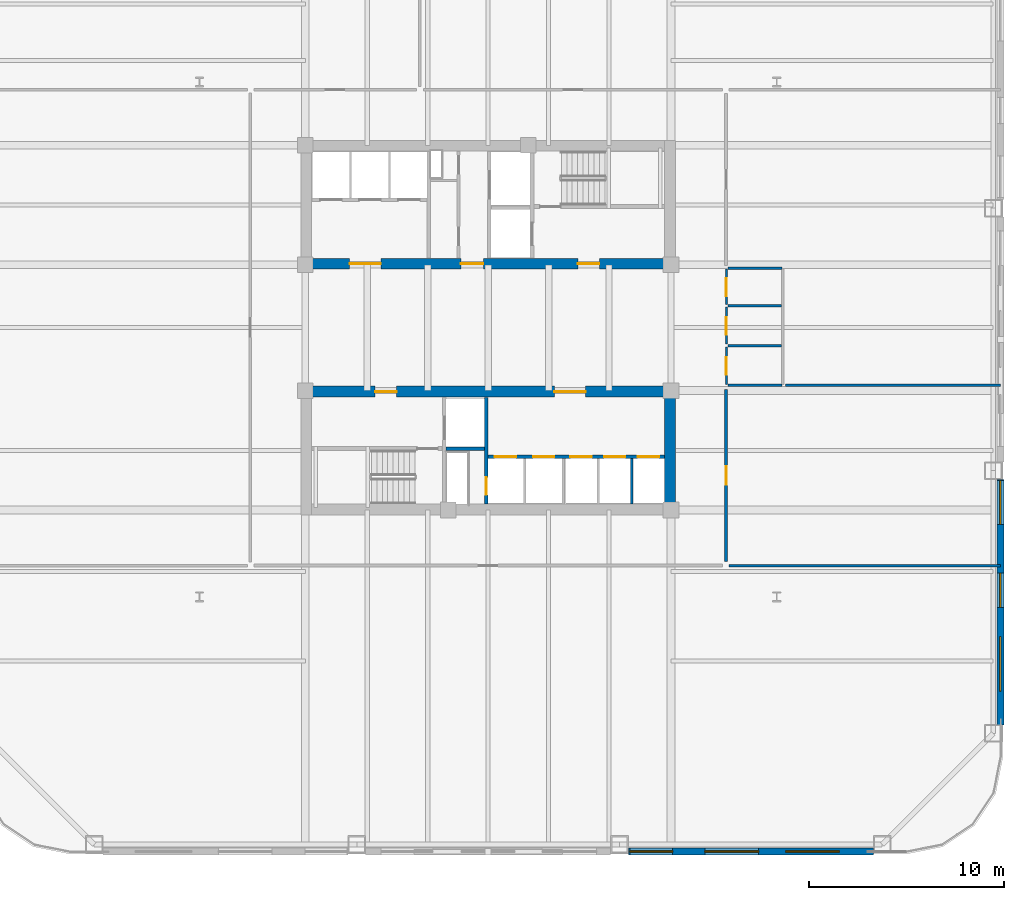
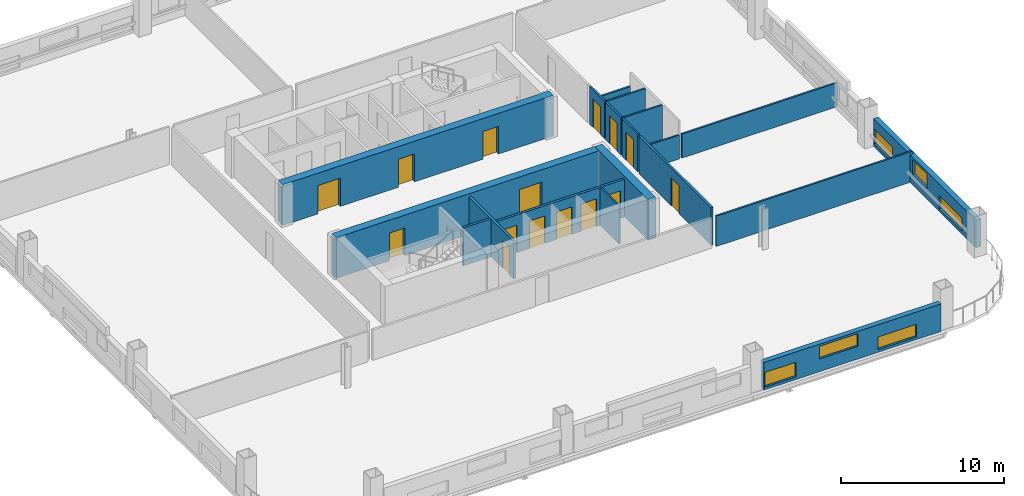
# One storey, part 3 of 11: 19 walls, 15 doors, 6 windows, 21 openings.
"""IFC4 building model written with IfcOpenShell, lengths in metres."""

from ifc_helpers import new_model, si_unit, direction, frame, frame_2d, origin, place, context, subcontext, project, spatial, rectangle, extrude, material, layer, layer_set, type_object, element, fill, save


model = new_model("IFC4")

# Units and contexts
model_context = context("Model", 3, precision=1e-05, world=origin(), true_north=direction((0.0, 1.0)))
body_context = subcontext(model_context, "Body", "Model", "MODEL_VIEW")
ifc_project = project(units=[si_unit("LENGTHUNIT", "METRE"), si_unit("AREAUNIT", "SQUARE_METRE"), si_unit("VOLUMEUNIT", "CUBIC_METRE"), si_unit("PLANEANGLEUNIT", "RADIAN"), si_unit("MASSUNIT", "GRAM", prefix="KILO")], contexts=[model_context])

# Site, building, storey
site_placement = place(None, origin())
site = spatial("IfcSite", under=ifc_project, at=site_placement, CompositionType="ELEMENT")
building_placement = place(site_placement, origin())
building = spatial("IfcBuilding", under=site, at=building_placement, Name="Qhalaya Broadcast Tower", CompositionType="ELEMENT")
storey_placement = place(building_placement, frame((0.0, 0.0, 29.14990234375)))
storey = spatial("IfcBuildingStorey", under=building, at=storey_placement, Name="L07", CompositionType="ELEMENT", Elevation=29.14990234375)

# Wall, opening, door
ifc_material_1 = material(Name="Gypsum Acoustic Partition")
ifc_layer_1 = layer(ifc_material_1, 0.14990234375, Name="Gypsum Acoustic Partition")
ifc_layer_set_1 = layer_set([ifc_layer_1], Name="Gypsum Acoustic Partition")
wall_type_1 = type_object("IfcWallType", Name="Corridor & Tenancy Acoustic Partition 150", PredefinedType="PARTITIONING", material=ifc_layer_set_1)
wall_1_placement = place(storey_placement, frame((12.199951171875, -11.39990234375, 0.0), z_axis=(0.0, 0.0, 1.0), x_axis=(0.0, 1.0, 0.0)))
wall_1 = element("IfcWall", 1, at=wall_1_placement, inside=storey, type_object=wall_type_1, Name="L07 Partition Wall W-COR-05", PredefinedType="PARTITIONING", context=body_context, shape_type="SweptSolid", body=[
    extrude(rectangle(XDim=8.83984375, YDim=0.14990234375, at=frame_2d((4.419921875, 0.0))), origin(), (0.0, 0.0, 1.0), 2.830078125),
])
opening_1_placement = place(wall_1_placement, frame((3.945068359375, 0.0, 0.0)))
opening_1 = element("IfcOpeningElement", 2, at=opening_1_placement, cuts=wall_1, Name="Opening D10", PredefinedType="OPENING", context=body_context, shape_type="SweptSolid", body=[
    extrude(rectangle(XDim=0.949951171875, YDim=2.10009765625, at=frame_2d((0.47509765625, 1.050048828125))), frame((0.0, 0.0869140625, 0.0), z_axis=(0.0, -1.0, 0.0), x_axis=(1.0, 0.0, 0.0)), (0.0, 0.0, 1.0), 0.173828125),
])
ifc_material_2 = material(Name="Timber Veneer Acoustic Door", Category="wood")
door_type_1 = type_object("IfcDoorType", Name="Cellular Office & Edit Booth Door D10", OperationType="NOTDEFINED", PredefinedType="DOOR", material=ifc_material_2)
door_1_placement = place(opening_1_placement, origin())
door_1 = element("IfcDoor", 3, at=door_1_placement, inside=storey, type_object=door_type_1, Name="L07 Door D-RM05", OperationType="SINGLE_SWING_LEFT", OverallHeight=2.10009765625, OverallWidth=0.949951171875, PredefinedType="DOOR", context=body_context, shape_type="SweptSolid", body=[
    extrude(rectangle(XDim=0.949951171875, YDim=2.10009765625, at=frame_2d((0.47509765625, 1.050048828125))), frame((0.0, 0.02490234375, 0.0), z_axis=(0.0, -1.0, 0.0), x_axis=(1.0, 0.0, 0.0)), (0.0, 0.0, 1.0), 0.050048828125),
])
fill(opening_1, door_1)

# Wall, openings, windows
ifc_material_3 = material(Name="Precast Concrete C40/50", Category="concrete")
ifc_layer_2 = layer(ifc_material_3, 0.360107421875, Name="Precast Concrete C40/50")
ifc_layer_set_2 = layer_set([ifc_layer_2], Name="Precast Concrete C40/50")
wall_type_2 = type_object("IfcWallType", Name="Insulated Precast Terracotta Exterior Wall 360", PredefinedType="SOLIDWALL", material=ifc_layer_set_2)
wall_2_placement = place(storey_placement, frame((19.761962890625, -26.260009765625, 0.0), z_axis=(0.0, 0.0, 1.0), x_axis=(-1.0, 0.0, 0.0)))
wall_2 = element("IfcWall", 4, at=wall_2_placement, inside=storey, type_object=wall_type_2, Name="L07 Exoskeleton Diagrid Infill Wall S1", PredefinedType="SOLIDWALL", context=body_context, shape_type="SweptSolid", body=[
    extrude(rectangle(XDim=12.57861328125, YDim=0.360107421875, at=frame_2d((6.289306640625, 0.0))), origin(), (0.0, 0.0, 1.0), 2.067138671875),
])
opening_2_placement = place(wall_2_placement, frame((1.75, 0.0, 0.199951171875)))
opening_2 = element("IfcOpeningElement", 5, at=opening_2_placement, cuts=wall_2, Name="Opening W11", PredefinedType="OPENING", context=body_context, shape_type="SweptSolid", body=[
    extrude(rectangle(XDim=2.75, YDim=0.949951171875, at=frame_2d((1.375, 0.47509765625))), frame((0.0, 0.192138671875, 0.0), z_axis=(0.0, -1.0, 0.0), x_axis=(1.0, 0.0, 0.0)), (0.0, 0.0, 1.0), 0.384033203125),
])
opening_3_placement = place(wall_2_placement, frame((5.89990234375, 0.0, 0.949951171875)))
opening_3 = element("IfcOpeningElement", 6, at=opening_3_placement, cuts=wall_2, Name="Opening W11", PredefinedType="OPENING", context=body_context, shape_type="SweptSolid", body=[
    extrude(rectangle(XDim=2.75, YDim=0.949951171875, at=frame_2d((1.375, 0.47509765625))), frame((0.0, 0.192138671875, 0.0), z_axis=(0.0, -1.0, 0.0), x_axis=(1.0, 0.0, 0.0)), (0.0, 0.0, 1.0), 0.384033203125),
])
opening_4_placement = place(wall_2_placement, frame((10.300048828125, 0.0, 0.199951171875)))
opening_4 = element("IfcOpeningElement", 7, at=opening_4_placement, cuts=wall_2, Name="Opening W11", PredefinedType="OPENING", context=body_context, shape_type="SweptSolid", body=[
    extrude(rectangle(XDim=2.199951171875, YDim=1.10009765625, at=frame_2d((1.10009765625, 0.550048828125))), frame((0.0, 0.192138671875, 0.0), z_axis=(0.0, -1.0, 0.0), x_axis=(1.0, 0.0, 0.0)), (0.0, 0.0, 1.0), 0.384033203125),
])
ifc_material_4 = material(Name="Solar-Control Low-E Triple Glazing", Category="glass")
window_type = type_object("IfcWindowType", Name="Odd-Block Diagrid Infill Window W11", PartitioningType="SINGLE_PANEL", PredefinedType="WINDOW", material=ifc_material_4)
window_1_placement = place(opening_2_placement, origin())
window_1 = element("IfcWindow", 8, at=window_1_placement, inside=storey, type_object=window_type, Name="L07 Diagrid Infill Window W11-S1", OverallHeight=0.949951171875, OverallWidth=2.75, PartitioningType="SINGLE_PANEL", PredefinedType="WINDOW", context=body_context, shape_type="SweptSolid", body=[
    extrude(rectangle(XDim=2.75, YDim=0.949951171875, at=frame_2d((1.375, 0.47509765625))), frame((0.0, 0.030029296875, 0.0), z_axis=(0.0, -1.0, 0.0), x_axis=(1.0, 0.0, 0.0)), (0.0, 0.0, 1.0), 0.06005859375),
])
fill(opening_2, window_1)
window_2_placement = place(opening_3_placement, origin())
window_2 = element("IfcWindow", 9, at=window_2_placement, inside=storey, type_object=window_type, Name="L07 Diagrid Infill Window W11-S2", OverallHeight=0.949951171875, OverallWidth=2.75, PartitioningType="SINGLE_PANEL", PredefinedType="WINDOW", context=body_context, shape_type="SweptSolid", body=[
    extrude(rectangle(XDim=2.75, YDim=0.949951171875, at=frame_2d((1.375, 0.47509765625))), frame((0.0, 0.030029296875, 0.0), z_axis=(0.0, -1.0, 0.0), x_axis=(1.0, 0.0, 0.0)), (0.0, 0.0, 1.0), 0.06005859375),
])
fill(opening_3, window_2)
window_3_placement = place(opening_4_placement, origin())
window_3 = element("IfcWindow", 10, at=window_3_placement, inside=storey, type_object=window_type, Name="L07 Diagrid Infill Window W11-S3", OverallHeight=1.10009765625, OverallWidth=2.199951171875, PartitioningType="SINGLE_PANEL", PredefinedType="WINDOW", context=body_context, shape_type="SweptSolid", body=[
    extrude(rectangle(XDim=2.199951171875, YDim=1.10009765625, at=frame_2d((1.10009765625, 0.550048828125))), frame((0.0, 0.030029296875, 0.0), z_axis=(0.0, -1.0, 0.0), x_axis=(1.0, 0.0, 0.0)), (0.0, 0.0, 1.0), 0.06005859375),
])
fill(opening_4, window_3)

wall_3_placement = place(storey_placement, frame((26.260009765625, -7.183349609375, 0.0), z_axis=(0.0, 0.0, 1.0), x_axis=(0.0, -1.0, 0.0)))
wall_3 = element("IfcWall", 11, at=wall_3_placement, inside=storey, type_object=wall_type_2, Name="L07 Exoskeleton Diagrid Infill Wall E3", PredefinedType="SOLIDWALL", context=body_context, shape_type="SweptSolid", body=[
    extrude(rectangle(XDim=12.57861328125, YDim=0.360107421875, at=frame_2d((6.289306640625, 0.0))), origin(), (0.0, 0.0, 1.0), 2.067138671875),
])
opening_5_placement = place(wall_3_placement, frame((0.054931640625, 0.0, 0.199951171875)))
opening_5 = element("IfcOpeningElement", 12, at=opening_5_placement, cuts=wall_3, Name="Opening W11", PredefinedType="OPENING", context=body_context, shape_type="SweptSolid", body=[
    extrude(rectangle(XDim=2.25, YDim=1.14990234375, at=frame_2d((1.125, 0.574951171875))), frame((0.0, 0.192138671875, 0.0), z_axis=(0.0, -1.0, 0.0), x_axis=(1.0, 0.0, 0.0)), (0.0, 0.0, 1.0), 0.384033203125),
])
opening_6_placement = place(wall_3_placement, frame((4.804931640625, 0.0, 0.800048828125)))
opening_6 = element("IfcOpeningElement", 13, at=opening_6_placement, cuts=wall_3, Name="Opening W11", PredefinedType="OPENING", context=body_context, shape_type="SweptSolid", body=[
    extrude(rectangle(XDim=1.75, YDim=1.10009765625, at=frame_2d((0.875, 0.550048828125))), frame((0.0, 0.192138671875, 0.0), z_axis=(0.0, -1.0, 0.0), x_axis=(1.0, 0.0, 0.0)), (0.0, 0.0, 1.0), 0.384033203125),
])
opening_7_placement = place(wall_3_placement, frame((8.054931640625, 0.0, 0.199951171875)))
opening_7 = element("IfcOpeningElement", 14, at=opening_7_placement, cuts=wall_3, Name="Opening W11", PredefinedType="OPENING", context=body_context, shape_type="SweptSolid", body=[
    extrude(rectangle(XDim=2.800048828125, YDim=1.0, at=frame_2d((1.39990234375, 0.5))), frame((0.0, 0.192138671875, 0.0), z_axis=(0.0, -1.0, 0.0), x_axis=(1.0, 0.0, 0.0)), (0.0, 0.0, 1.0), 0.384033203125),
])
window_4_placement = place(opening_5_placement, origin())
window_4 = element("IfcWindow", 15, at=window_4_placement, inside=storey, type_object=window_type, Name="L07 Diagrid Infill Window W11-E7", OverallHeight=1.14990234375, OverallWidth=2.25, PartitioningType="SINGLE_PANEL", PredefinedType="WINDOW", context=body_context, shape_type="SweptSolid", body=[
    extrude(rectangle(XDim=2.25, YDim=1.14990234375, at=frame_2d((1.125, 0.574951171875))), frame((0.0, 0.030029296875, 0.0), z_axis=(0.0, -1.0, 0.0), x_axis=(1.0, 0.0, 0.0)), (0.0, 0.0, 1.0), 0.06005859375),
])
fill(opening_5, window_4)
window_5_placement = place(opening_6_placement, origin())
window_5 = element("IfcWindow", 16, at=window_5_placement, inside=storey, type_object=window_type, Name="L07 Diagrid Infill Window W11-E8", OverallHeight=1.10009765625, OverallWidth=1.75, PartitioningType="SINGLE_PANEL", PredefinedType="WINDOW", context=body_context, shape_type="SweptSolid", body=[
    extrude(rectangle(XDim=1.75, YDim=1.10009765625, at=frame_2d((0.875, 0.550048828125))), frame((0.0, 0.030029296875, 0.0), z_axis=(0.0, -1.0, 0.0), x_axis=(1.0, 0.0, 0.0)), (0.0, 0.0, 1.0), 0.06005859375),
])
fill(opening_6, window_5)
window_6_placement = place(opening_7_placement, origin())
window_6 = element("IfcWindow", 17, at=window_6_placement, inside=storey, type_object=window_type, Name="L07 Diagrid Infill Window W11-E9", OverallHeight=1.0, OverallWidth=2.800048828125, PartitioningType="SINGLE_PANEL", PredefinedType="WINDOW", context=body_context, shape_type="SweptSolid", body=[
    extrude(rectangle(XDim=2.800048828125, YDim=1.0, at=frame_2d((1.39990234375, 0.5))), frame((0.0, 0.030029296875, 0.0), z_axis=(0.0, -1.0, 0.0), x_axis=(1.0, 0.0, 0.0)), (0.0, 0.0, 1.0), 0.06005859375),
])
fill(opening_7, window_6)

# Wall, openings, doors
ifc_material_5 = material(Name="Concrete C60/75", Category="concrete")
ifc_layer_3 = layer(ifc_material_5, 0.550048828125, Name="Concrete C60/75")
ifc_layer_set_3 = layer_set([ifc_layer_3], Name="Concrete C60/75")
wall_type_3 = type_object("IfcWallType", Name="Lower Split-Core Shear Wall 550", PredefinedType="SHEAR", material=ifc_layer_set_3)
wall_4_placement = place(storey_placement, frame((-9.60009765625, 3.875, 0.0), z_axis=(0.0, 0.0, 1.0), x_axis=(1.0, 0.0, 0.0)))
wall_4 = element("IfcWall", 18, at=wall_4_placement, inside=storey, type_object=wall_type_3, Name="L07 Split-Core Shear Wall CW-NS", PredefinedType="SHEAR", context=body_context, shape_type="SweptSolid", body=[
    extrude(rectangle(XDim=19.2001953125, YDim=0.550048828125, at=frame_2d((9.60009765625, 0.0))), origin(), (0.0, 0.0, 1.0), 3.050048828125),
])
opening_8_placement = place(wall_4_placement, frame((14.199951171875, 0.0, 0.0)))
opening_8 = element("IfcOpeningElement", 19, at=opening_8_placement, cuts=wall_4, Name="Opening D04", PredefinedType="OPENING", context=body_context, shape_type="SweptSolid", body=[
    extrude(rectangle(XDim=1.10009765625, YDim=2.080078125, at=frame_2d((0.550048828125, 1.0400390625))), frame((0.0, 0.287109375, 0.0), z_axis=(0.0, -1.0, 0.0), x_axis=(1.0, 0.0, 0.0)), (0.0, 0.0, 1.0), 0.573974609375),
])
opening_9_placement = place(wall_4_placement, frame((8.199951171875, 0.0, 0.0)))
opening_9 = element("IfcOpeningElement", 20, at=opening_9_placement, cuts=wall_4, Name="Opening D05", PredefinedType="OPENING", context=body_context, shape_type="SweptSolid", body=[
    extrude(rectangle(XDim=1.14990234375, YDim=2.10009765625, at=frame_2d((0.574951171875, 1.050048828125))), frame((0.0, 0.287109375, 0.0), z_axis=(0.0, -1.0, 0.0), x_axis=(1.0, 0.0, 0.0)), (0.0, 0.0, 1.0), 0.573974609375),
])
opening_10_placement = place(wall_4_placement, frame((2.5, 0.0, 0.0)))
opening_10 = element("IfcOpeningElement", 21, at=opening_10_placement, cuts=wall_4, Name="Opening D07", PredefinedType="OPENING", context=body_context, shape_type="SweptSolid", body=[
    extrude(rectangle(XDim=1.60009765625, YDim=2.1201171875, at=frame_2d((0.800048828125, 1.06005859375))), frame((0.0, 0.287109375, 0.0), z_axis=(0.0, -1.0, 0.0), x_axis=(1.0, 0.0, 0.0)), (0.0, 0.0, 1.0), 0.573974609375),
])
ifc_material_6 = material(Name="Fire-Rated Steel Door", Category="steel")
door_type_2 = type_object("IfcDoorType", Name="Firefighting Lobby Rated Door D04", OperationType="NOTDEFINED", PredefinedType="DOOR", material=ifc_material_6)
door_2_placement = place(opening_8_placement, origin())
door_2 = element("IfcDoor", 22, at=door_2_placement, inside=storey, type_object=door_type_2, Name="L07 Door D-NFF", OperationType="SINGLE_SWING_RIGHT", OverallHeight=2.080078125, OverallWidth=1.10009765625, PredefinedType="DOOR", context=body_context, shape_type="SweptSolid", body=[
    extrude(rectangle(XDim=1.10009765625, YDim=2.080078125, at=frame_2d((0.550048828125, 1.0400390625))), frame((0.0, 0.02490234375, 0.0), z_axis=(0.0, -1.0, 0.0), x_axis=(1.0, 0.0, 0.0)), (0.0, 0.0, 1.0), 0.050048828125),
])
fill(opening_8, door_2)
ifc_material_7 = material(Name="Anodised Aluminium Glazed Door", Category="aluminium")
door_type_3 = type_object("IfcDoorType", Name="Passenger Lift Lobby Double Glazed Door D07", OperationType="DOUBLE_DOOR_SINGLE_SWING", PredefinedType="DOOR", material=ifc_material_7)
door_3_placement = place(opening_10_placement, origin())
door_3 = element("IfcDoor", 23, at=door_3_placement, inside=storey, type_object=door_type_3, Name="L07 Door D-NPLL", OperationType="DOUBLE_DOOR_SINGLE_SWING", OverallHeight=2.1201171875, OverallWidth=1.60009765625, PredefinedType="DOOR", context=body_context, shape_type="SweptSolid", body=[
    extrude(rectangle(XDim=1.60009765625, YDim=2.1201171875, at=frame_2d((0.800048828125, 1.06005859375))), frame((0.0, 0.02490234375, 0.0), z_axis=(0.0, -1.0, 0.0), x_axis=(1.0, 0.0, 0.0)), (0.0, 0.0, 1.0), 0.050048828125),
])
fill(opening_10, door_3)
door_type_4 = type_object("IfcDoorType", Name="Refuge & Plant Room Fire Door D05", OperationType="NOTDEFINED", PredefinedType="DOOR", material=ifc_material_6)
door_4_placement = place(opening_9_placement, origin())
door_4 = element("IfcDoor", 24, at=door_4_placement, inside=storey, type_object=door_type_4, Name="L07 Door D-NSVL", OperationType="SINGLE_SWING_LEFT", OverallHeight=2.10009765625, OverallWidth=1.14990234375, PredefinedType="DOOR", context=body_context, shape_type="SweptSolid", body=[
    extrude(rectangle(XDim=1.14990234375, YDim=2.10009765625, at=frame_2d((0.574951171875, 1.050048828125))), frame((0.0, 0.02490234375, 0.0), z_axis=(0.0, -1.0, 0.0), x_axis=(1.0, 0.0, 0.0)), (0.0, 0.0, 1.0), 0.050048828125),
])
fill(opening_9, door_4)

wall_5_placement = place(storey_placement, frame((-9.60009765625, -2.675048828125, 0.0), z_axis=(0.0, 0.0, 1.0), x_axis=(1.0, 0.0, 0.0)))
wall_5 = element("IfcWall", 25, at=wall_5_placement, inside=storey, type_object=wall_type_3, Name="L07 Split-Core Shear Wall CW-SN", PredefinedType="SHEAR", context=body_context, shape_type="SweptSolid", body=[
    extrude(rectangle(XDim=19.2001953125, YDim=0.550048828125, at=frame_2d((9.60009765625, 0.0))), origin(), (0.0, 0.0, 1.0), 3.050048828125),
])
opening_11_placement = place(wall_5_placement, frame((3.800048828125, 0.0, 0.0)))
opening_11 = element("IfcOpeningElement", 26, at=opening_11_placement, cuts=wall_5, Name="Opening D04", PredefinedType="OPENING", context=body_context, shape_type="SweptSolid", body=[
    extrude(rectangle(XDim=1.10009765625, YDim=2.080078125, at=frame_2d((0.550048828125, 1.0400390625))), frame((0.0, 0.287109375, 0.0), z_axis=(0.0, -1.0, 0.0), x_axis=(1.0, 0.0, 0.0)), (0.0, 0.0, 1.0), 0.573974609375),
])
opening_12_placement = place(wall_5_placement, frame((13.0, 0.0, 0.0)))
opening_12 = element("IfcOpeningElement", 27, at=opening_12_placement, cuts=wall_5, Name="Opening D07", PredefinedType="OPENING", context=body_context, shape_type="SweptSolid", body=[
    extrude(rectangle(XDim=1.60009765625, YDim=2.1201171875, at=frame_2d((0.800048828125, 1.06005859375))), frame((0.0, 0.287109375, 0.0), z_axis=(0.0, -1.0, 0.0), x_axis=(1.0, 0.0, 0.0)), (0.0, 0.0, 1.0), 0.573974609375),
])
door_5_placement = place(opening_11_placement, origin())
door_5 = element("IfcDoor", 28, at=door_5_placement, inside=storey, type_object=door_type_2, Name="L07 Door D-SFF", OperationType="SINGLE_SWING_LEFT", OverallHeight=2.080078125, OverallWidth=1.10009765625, PredefinedType="DOOR", context=body_context, shape_type="SweptSolid", body=[
    extrude(rectangle(XDim=1.10009765625, YDim=2.080078125, at=frame_2d((0.550048828125, 1.0400390625))), frame((0.0, 0.02490234375, 0.0), z_axis=(0.0, -1.0, 0.0), x_axis=(1.0, 0.0, 0.0)), (0.0, 0.0, 1.0), 0.050048828125),
])
fill(opening_11, door_5)
door_6_placement = place(opening_12_placement, origin())
door_6 = element("IfcDoor", 29, at=door_6_placement, inside=storey, type_object=door_type_3, Name="L07 Door D-SPLL", OperationType="DOUBLE_DOOR_SINGLE_SWING", OverallHeight=2.1201171875, OverallWidth=1.60009765625, PredefinedType="DOOR", context=body_context, shape_type="SweptSolid", body=[
    extrude(rectangle(XDim=1.60009765625, YDim=2.1201171875, at=frame_2d((0.800048828125, 1.06005859375))), frame((0.0, 0.02490234375, 0.0), z_axis=(0.0, -1.0, 0.0), x_axis=(1.0, 0.0, 0.0)), (0.0, 0.0, 1.0), 0.050048828125),
])
fill(opening_12, door_6)

# Walls
wall_6_placement = place(storey_placement, frame((9.324951171875, -9.0, 0.0), z_axis=(0.0, 0.0, 1.0), x_axis=(0.0, 1.0, 0.0)))
element("IfcWall", 30, at=wall_6_placement, inside=storey, type_object=wall_type_3, Name="L07 Split-Core Shear Wall CW-SE", PredefinedType="SHEAR", context=body_context, shape_type="SweptSolid", body=[
    extrude(rectangle(XDim=6.60009765625, YDim=0.550048828125, at=frame_2d((3.300048828125, 0.0))), origin(), (0.0, 0.0, 1.0), 3.050048828125),
])
ifc_layer_4 = layer(ifc_material_1, 0.1201171875, Name="Gypsum Acoustic Partition")
ifc_layer_set_4 = layer_set([ifc_layer_4], Name="Gypsum Acoustic Partition")
wall_type_4 = type_object("IfcWallType", Name="Office, Booth & Sanitary Partition 120", PredefinedType="PARTITIONING", material=ifc_layer_set_4)
wall_7_placement = place(storey_placement, frame((7.360107421875, -8.429931640625, 0.0), z_axis=(0.0, 0.0, 1.0), x_axis=(0.0, 1.0, 0.0)))
element("IfcWall", 31, at=wall_7_placement, inside=storey, type_object=wall_type_4, Name="L07 Partition Wall SCW-HD7", PredefinedType="PARTITIONING", context=body_context, shape_type="SweptSolid", body=[
    extrude(rectangle(XDim=2.329833984375, YDim=0.1201171875, at=frame_2d((1.1650390625, 0.0))), origin(), (0.0, 0.0, 1.0), 2.830078125),
])

# Wall, opening, door
wall_8_placement = place(storey_placement, frame((12.219970703125, -2.320068359375, 0.0), z_axis=(0.0, 0.0, 1.0), x_axis=(0.0, 1.0, 0.0)))
wall_8 = element("IfcWall", 32, at=wall_8_placement, inside=storey, type_object=wall_type_4, Name="L07 Partition Wall W-WCWA", PredefinedType="PARTITIONING", context=body_context, shape_type="SweptSolid", body=[
    extrude(rectangle(XDim=1.940185546875, YDim=0.1201171875, at=frame_2d((0.97021484375, 0.0))), origin(), (0.0, 0.0, 1.0), 2.830078125),
])
opening_13_placement = place(wall_8_placement, frame((0.4951171875, 0.0, 0.0)))
opening_13 = element("IfcOpeningElement", 33, at=opening_13_placement, cuts=wall_8, Name="Opening D12", PredefinedType="OPENING", context=body_context, shape_type="SweptSolid", body=[
    extrude(rectangle(XDim=0.919921875, YDim=2.10009765625, at=frame_2d((0.4599609375, 1.050048828125))), frame((0.0, 0.072021484375, 0.0), z_axis=(0.0, -1.0, 0.0), x_axis=(1.0, 0.0, 0.0)), (0.0, 0.0, 1.0), 0.14404296875),
])
door_type_5 = type_object("IfcDoorType", Name="Accessible WC & Restroom Door D12", OperationType="NOTDEFINED", PredefinedType="DOOR", material=ifc_material_2)
door_7_placement = place(opening_13_placement, origin())
door_7 = element("IfcDoor", 34, at=door_7_placement, inside=storey, type_object=door_type_5, Name="L07 Door D-WCA", OperationType="SINGLE_SWING_LEFT", OverallHeight=2.10009765625, OverallWidth=0.919921875, PredefinedType="DOOR", context=body_context, shape_type="SweptSolid", body=[
    extrude(rectangle(XDim=0.919921875, YDim=2.10009765625, at=frame_2d((0.4599609375, 1.050048828125))), frame((0.0, 0.02490234375, 0.0), z_axis=(0.0, -1.0, 0.0), x_axis=(1.0, 0.0, 0.0)), (0.0, 0.0, 1.0), 0.050048828125),
])
fill(opening_13, door_7)

wall_9_placement = place(storey_placement, frame((12.219970703125, -0.25, 0.0), z_axis=(0.0, 0.0, 1.0), x_axis=(0.0, 1.0, 0.0)))
wall_9 = element("IfcWall", 35, at=wall_9_placement, inside=storey, type_object=wall_type_4, Name="L07 Partition Wall W-WCWM", PredefinedType="PARTITIONING", context=body_context, shape_type="SweptSolid", body=[
    extrude(rectangle(XDim=1.89990234375, YDim=0.1201171875, at=frame_2d((0.949951171875, 0.0))), origin(), (0.0, 0.0, 1.0), 2.830078125),
])
opening_14_placement = place(wall_9_placement, frame((0.47509765625, 0.0, 0.0)))
opening_14 = element("IfcOpeningElement", 36, at=opening_14_placement, cuts=wall_9, Name="Opening D12", PredefinedType="OPENING", context=body_context, shape_type="SweptSolid", body=[
    extrude(rectangle(XDim=0.919921875, YDim=2.10009765625, at=frame_2d((0.4599609375, 1.050048828125))), frame((0.0, 0.072021484375, 0.0), z_axis=(0.0, -1.0, 0.0), x_axis=(1.0, 0.0, 0.0)), (0.0, 0.0, 1.0), 0.14404296875),
])
door_8_placement = place(opening_14_placement, origin())
door_8 = element("IfcDoor", 37, at=door_8_placement, inside=storey, type_object=door_type_5, Name="L07 Door D-WCM", OperationType="SINGLE_SWING_RIGHT", OverallHeight=2.10009765625, OverallWidth=0.919921875, PredefinedType="DOOR", context=body_context, shape_type="SweptSolid", body=[
    extrude(rectangle(XDim=0.919921875, YDim=2.10009765625, at=frame_2d((0.4599609375, 1.050048828125))), frame((0.0, 0.02490234375, 0.0), z_axis=(0.0, -1.0, 0.0), x_axis=(1.0, 0.0, 0.0)), (0.0, 0.0, 1.0), 0.050048828125),
])
fill(opening_14, door_8)

wall_10_placement = place(storey_placement, frame((12.219970703125, 1.780029296875, 0.0), z_axis=(0.0, 0.0, 1.0), x_axis=(0.0, 1.0, 0.0)))
wall_10 = element("IfcWall", 38, at=wall_10_placement, inside=storey, type_object=wall_type_4, Name="L07 Partition Wall W-WCWF", PredefinedType="PARTITIONING", context=body_context, shape_type="SweptSolid", body=[
    extrude(rectangle(XDim=1.830078125, YDim=0.1201171875, at=frame_2d((0.9150390625, 0.0))), origin(), (0.0, 0.0, 1.0), 2.830078125),
])
opening_15_placement = place(wall_10_placement, frame((0.43994140625, 0.0, 0.0)))
opening_15 = element("IfcOpeningElement", 39, at=opening_15_placement, cuts=wall_10, Name="Opening D12", PredefinedType="OPENING", context=body_context, shape_type="SweptSolid", body=[
    extrude(rectangle(XDim=0.919921875, YDim=2.10009765625, at=frame_2d((0.4599609375, 1.050048828125))), frame((0.0, 0.072021484375, 0.0), z_axis=(0.0, -1.0, 0.0), x_axis=(1.0, 0.0, 0.0)), (0.0, 0.0, 1.0), 0.14404296875),
])
door_9_placement = place(opening_15_placement, origin())
door_9 = element("IfcDoor", 40, at=door_9_placement, inside=storey, type_object=door_type_5, Name="L07 Door D-WCF", OperationType="SINGLE_SWING_LEFT", OverallHeight=2.10009765625, OverallWidth=0.919921875, PredefinedType="DOOR", context=body_context, shape_type="SweptSolid", body=[
    extrude(rectangle(XDim=0.919921875, YDim=2.10009765625, at=frame_2d((0.4599609375, 1.050048828125))), frame((0.0, 0.02490234375, 0.0), z_axis=(0.0, -1.0, 0.0), x_axis=(1.0, 0.0, 0.0)), (0.0, 0.0, 1.0), 0.050048828125),
])
fill(opening_15, door_9)

# Walls
for number, where, z_axis, x_axis, name in (
    (41, (12.31005859375, -2.35009765625, 0.0), (0.0, 0.0, 1.0), (1.0, 0.0, 0.0), "L07 Partition Wall W-WCS"),
    (42, (12.31005859375, 3.639892578125, 0.0), (0.0, 0.0, 1.0), (1.0, 0.0, 0.0), "L07 Partition Wall W-WCN"),
):
    element("IfcWall", number, at=place(storey_placement, frame(where, z_axis=z_axis, x_axis=x_axis)), inside=storey, type_object=wall_type_4, Name=name, PredefinedType="PARTITIONING", context=body_context, shape_type="SweptSolid", body=[
        extrude(rectangle(XDim=2.760009765625, YDim=0.1201171875, at=frame_2d((1.3798828125, 0.0))), origin(), (0.0, 0.0, 1.0), 1.799072265625),
    ])
for number, where, z_axis, x_axis, name in (
    (43, (12.31005859375, -0.320068359375, 0.0), (0.0, 0.0, 1.0), (1.0, 0.0, 0.0), "L07 Partition Wall W-WCD1"),
    (44, (12.31005859375, 1.719970703125, 0.0), (0.0, 0.0, 1.0), (1.0, 0.0, 0.0), "L07 Partition Wall W-WCD2"),
):
    element("IfcWall", number, at=place(storey_placement, frame(where, z_axis=z_axis, x_axis=x_axis)), inside=storey, type_object=wall_type_4, Name=name, PredefinedType="PARTITIONING", context=body_context, shape_type="SweptSolid", body=[
        extrude(rectangle(XDim=2.719970703125, YDim=0.1201171875, at=frame_2d((1.35986328125, 0.0))), origin(), (0.0, 0.0, 1.0), 2.830078125),
    ])
wall_11_placement = place(storey_placement, frame((12.340087890625, -11.60009765625, 0.0), z_axis=(0.0, 0.0, 1.0), x_axis=(1.0, 0.0, 0.0)))
element("IfcWall", 45, at=wall_11_placement, inside=storey, type_object=wall_type_4, Name="L07 Partition Wall W-BNDE2", PredefinedType="PARTITIONING", context=body_context, shape_type="SweptSolid", body=[
    extrude(rectangle(XDim=13.93994140625, YDim=0.1201171875, at=frame_2d((6.969970703125, 0.0))), origin(), (0.0, 0.0, 1.0), 2.274169921875),
])
wall_12_placement = place(storey_placement, frame((15.239990234375, -2.35009765625, 0.0), z_axis=(0.0, 0.0, 1.0), x_axis=(1.0, 0.0, 0.0)))
element("IfcWall", 46, at=wall_12_placement, inside=storey, type_object=wall_type_4, Name="L07 Partition Wall W-DIVE-WC", PredefinedType="PARTITIONING", context=body_context, shape_type="SweptSolid", body=[
    extrude(rectangle(XDim=11.0400390625, YDim=0.1201171875, at=frame_2d((5.52001953125, 0.0))), origin(), (0.0, 0.0, 1.0), 1.799072265625),
])

# Wall, opening, door
ifc_layer_5 = layer(ifc_material_1, 0.175048828125, Name="Gypsum Acoustic Partition")
ifc_layer_set_5 = layer_set([ifc_layer_5], Name="Gypsum Acoustic Partition")
wall_type_5 = type_object("IfcWallType", Name="Shaft & Riser Fire Partition 175", PredefinedType="PARTITIONING", material=ifc_layer_set_5)
wall_13_placement = place(storey_placement, frame((-0.10009765625, -8.429931640625, 0.0), z_axis=(0.0, 0.0, 1.0), x_axis=(0.0, 1.0, 0.0)))
wall_13 = element("IfcWall", 47, at=wall_13_placement, inside=storey, type_object=wall_type_5, Name="L07 Partition Wall SCW-FFE", PredefinedType="PARTITIONING", context=body_context, shape_type="SweptSolid", body=[
    extrude(rectangle(XDim=5.4599609375, YDim=0.175048828125, at=frame_2d((2.72998046875, 0.0))), origin(), (0.0, 0.0, 1.0), 2.830078125),
])
opening_16_placement = place(wall_13_placement, frame((0.449951171875, 0.0, 0.0)))
opening_16 = element("IfcOpeningElement", 48, at=opening_16_placement, cuts=wall_13, Name="Opening D06", PredefinedType="OPENING", context=body_context, shape_type="SweptSolid", body=[
    extrude(rectangle(XDim=0.89990234375, YDim=2.050048828125, at=frame_2d((0.449951171875, 1.02490234375))), frame((0.0, 0.099609375, 0.0), z_axis=(0.0, -1.0, 0.0), x_axis=(1.0, 0.0, 0.0)), (0.0, 0.0, 1.0), 0.198974609375),
])
door_type_6 = type_object("IfcDoorType", Name="Riser & Electrical Shaft Access Door D06", OperationType="NOTDEFINED", PredefinedType="DOOR", material=ifc_material_6)
door_10_placement = place(opening_16_placement, origin())
door_10 = element("IfcDoor", 49, at=door_10_placement, inside=storey, type_object=door_type_6, Name="L07 Riser Shaft Access Door D-SRSR", OperationType="SINGLE_SWING_LEFT", OverallHeight=2.050048828125, OverallWidth=0.89990234375, PredefinedType="DOOR", context=body_context, shape_type="SweptSolid", body=[
    extrude(rectangle(XDim=0.89990234375, YDim=2.050048828125, at=frame_2d((0.449951171875, 1.02490234375))), frame((0.0, 0.02490234375, 0.0), z_axis=(0.0, -1.0, 0.0), x_axis=(1.0, 0.0, 0.0)), (0.0, 0.0, 1.0), 0.050048828125),
])
fill(opening_16, door_10)

# Wall
wall_14_placement = place(storey_placement, frame((-2.14990234375, -5.60009765625, 0.0), z_axis=(0.0, 0.0, 1.0), x_axis=(1.0, 0.0, 0.0)))
element("IfcWall", 50, at=wall_14_placement, inside=storey, type_object=wall_type_5, Name="L07 Partition Wall SCW-FFM", PredefinedType="PARTITIONING", context=body_context, shape_type="SweptSolid", body=[
    extrude(rectangle(XDim=1.969970703125, YDim=0.175048828125, at=frame_2d((0.98486328125, 0.0))), origin(), (0.0, 0.0, 1.0), 2.830078125),
])

# Wall, openings, doors
wall_15_placement = place(storey_placement, frame((0.0, -6.02001953125, 0.0), z_axis=(0.0, 0.0, 1.0), x_axis=(1.0, 0.0, 0.0)))
wall_15 = element("IfcWall", 51, at=wall_15_placement, inside=storey, type_object=wall_type_5, Name="L07 Partition Wall SCW-SLB", PredefinedType="PARTITIONING", context=body_context, shape_type="SweptSolid", body=[
    extrude(rectangle(XDim=9.030029296875, YDim=0.175048828125, at=frame_2d((4.51513671875, 0.0))), origin(), (0.0, 0.0, 1.0), 2.830078125),
])
opening_17_placement = place(wall_15_placement, frame((0.330078125, 0.0, 0.0)))
opening_17 = element("IfcOpeningElement", 52, at=opening_17_placement, cuts=wall_15, Name="Opening LD1", PredefinedType="OPENING", context=body_context, shape_type="SweptSolid", body=[
    extrude(rectangle(XDim=1.10009765625, YDim=2.06005859375, at=frame_2d((0.550048828125, 1.030029296875))), frame((0.0, 0.099609375, 0.0), z_axis=(0.0, -1.0, 0.0), x_axis=(1.0, 0.0, 0.0)), (0.0, 0.0, 1.0), 0.198974609375),
])
opening_18_placement = place(wall_15_placement, frame((2.300048828125, 0.0, 0.0)))
opening_18 = element("IfcOpeningElement", 53, at=opening_18_placement, cuts=wall_15, Name="Opening LD1", PredefinedType="OPENING", context=body_context, shape_type="SweptSolid", body=[
    extrude(rectangle(XDim=1.10009765625, YDim=2.06005859375, at=frame_2d((0.550048828125, 1.030029296875))), frame((0.0, 0.099609375, 0.0), z_axis=(0.0, -1.0, 0.0), x_axis=(1.0, 0.0, 0.0)), (0.0, 0.0, 1.0), 0.198974609375),
])
opening_19_placement = place(wall_15_placement, frame((4.219970703125, 0.0, 0.0)))
opening_19 = element("IfcOpeningElement", 54, at=opening_19_placement, cuts=wall_15, Name="Opening LD1", PredefinedType="OPENING", context=body_context, shape_type="SweptSolid", body=[
    extrude(rectangle(XDim=1.10009765625, YDim=2.06005859375, at=frame_2d((0.550048828125, 1.030029296875))), frame((0.0, 0.099609375, 0.0), z_axis=(0.0, -1.0, 0.0), x_axis=(1.0, 0.0, 0.0)), (0.0, 0.0, 1.0), 0.198974609375),
])
opening_20_placement = place(wall_15_placement, frame((5.93994140625, 0.0, 0.0)))
opening_20 = element("IfcOpeningElement", 55, at=opening_20_placement, cuts=wall_15, Name="Opening LD1", PredefinedType="OPENING", context=body_context, shape_type="SweptSolid", body=[
    extrude(rectangle(XDim=1.10009765625, YDim=2.06005859375, at=frame_2d((0.550048828125, 1.030029296875))), frame((0.0, 0.099609375, 0.0), z_axis=(0.0, -1.0, 0.0), x_axis=(1.0, 0.0, 0.0)), (0.0, 0.0, 1.0), 0.198974609375),
])
opening_21_placement = place(wall_15_placement, frame((7.659912109375, 0.0, 0.0)))
opening_21 = element("IfcOpeningElement", 56, at=opening_21_placement, cuts=wall_15, Name="Opening LD1", PredefinedType="OPENING", context=body_context, shape_type="SweptSolid", body=[
    extrude(rectangle(XDim=1.10009765625, YDim=2.06005859375, at=frame_2d((0.550048828125, 1.030029296875))), frame((0.0, 0.099609375, 0.0), z_axis=(0.0, -1.0, 0.0), x_axis=(1.0, 0.0, 0.0)), (0.0, 0.0, 1.0), 0.198974609375),
])
ifc_material_8 = material(Name="Brushed Stainless Steel Lift Door", Category="steel")
door_type_7 = type_object("IfcDoorType", Name="Passenger Lift Sliding Landing Door LD1", OperationType="DOUBLE_DOOR_SLIDING", PredefinedType="DOOR", material=ifc_material_8)
door_11_placement = place(opening_17_placement, origin())
door_11 = element("IfcDoor", 57, at=door_11_placement, inside=storey, type_object=door_type_7, Name="L07 Door LD-P4", OperationType="DOUBLE_DOOR_SLIDING", OverallHeight=2.06005859375, OverallWidth=1.10009765625, PredefinedType="DOOR", context=body_context, shape_type="SweptSolid", body=[
    extrude(rectangle(XDim=1.10009765625, YDim=2.06005859375, at=frame_2d((0.550048828125, 1.030029296875))), frame((0.0, 0.02490234375, 0.0), z_axis=(0.0, -1.0, 0.0), x_axis=(1.0, 0.0, 0.0)), (0.0, 0.0, 1.0), 0.050048828125),
])
fill(opening_17, door_11)
door_12_placement = place(opening_18_placement, origin())
door_12 = element("IfcDoor", 58, at=door_12_placement, inside=storey, type_object=door_type_7, Name="L07 Door LD-P5", OperationType="DOUBLE_DOOR_SLIDING", OverallHeight=2.06005859375, OverallWidth=1.10009765625, PredefinedType="DOOR", context=body_context, shape_type="SweptSolid", body=[
    extrude(rectangle(XDim=1.10009765625, YDim=2.06005859375, at=frame_2d((0.550048828125, 1.030029296875))), frame((0.0, 0.02490234375, 0.0), z_axis=(0.0, -1.0, 0.0), x_axis=(1.0, 0.0, 0.0)), (0.0, 0.0, 1.0), 0.050048828125),
])
fill(opening_18, door_12)
door_13_placement = place(opening_19_placement, origin())
door_13 = element("IfcDoor", 59, at=door_13_placement, inside=storey, type_object=door_type_7, Name="L07 Door LD-P6", OperationType="DOUBLE_DOOR_SLIDING", OverallHeight=2.06005859375, OverallWidth=1.10009765625, PredefinedType="DOOR", context=body_context, shape_type="SweptSolid", body=[
    extrude(rectangle(XDim=1.10009765625, YDim=2.06005859375, at=frame_2d((0.550048828125, 1.030029296875))), frame((0.0, 0.02490234375, 0.0), z_axis=(0.0, -1.0, 0.0), x_axis=(1.0, 0.0, 0.0)), (0.0, 0.0, 1.0), 0.050048828125),
])
fill(opening_19, door_13)
door_14_placement = place(opening_20_placement, origin())
door_14 = element("IfcDoor", 60, at=door_14_placement, inside=storey, type_object=door_type_7, Name="L07 Door LD-P7", OperationType="DOUBLE_DOOR_SLIDING", OverallHeight=2.06005859375, OverallWidth=1.10009765625, PredefinedType="DOOR", context=body_context, shape_type="SweptSolid", body=[
    extrude(rectangle(XDim=1.10009765625, YDim=2.06005859375, at=frame_2d((0.550048828125, 1.030029296875))), frame((0.0, 0.02490234375, 0.0), z_axis=(0.0, -1.0, 0.0), x_axis=(1.0, 0.0, 0.0)), (0.0, 0.0, 1.0), 0.050048828125),
])
fill(opening_20, door_14)
door_15_placement = place(opening_21_placement, origin())
door_15 = element("IfcDoor", 61, at=door_15_placement, inside=storey, type_object=door_type_7, Name="L07 Door LD-P8", OperationType="DOUBLE_DOOR_SLIDING", OverallHeight=2.06005859375, OverallWidth=1.10009765625, PredefinedType="DOOR", context=body_context, shape_type="SweptSolid", body=[
    extrude(rectangle(XDim=1.10009765625, YDim=2.06005859375, at=frame_2d((0.550048828125, 1.030029296875))), frame((0.0, 0.02490234375, 0.0), z_axis=(0.0, -1.0, 0.0), x_axis=(1.0, 0.0, 0.0)), (0.0, 0.0, 1.0), 0.050048828125),
])
fill(opening_21, door_15)

save(model, "model.ifc")
